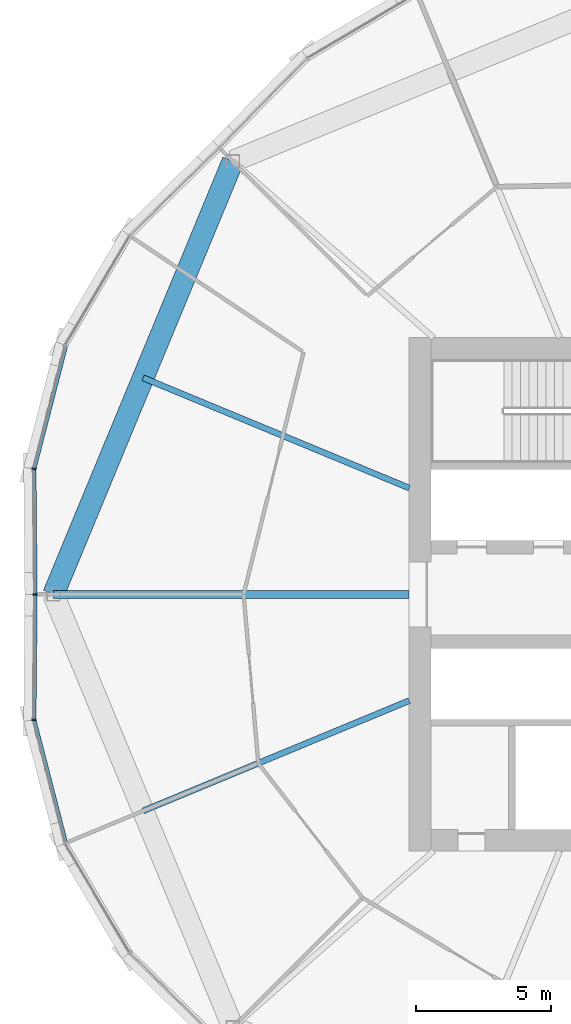
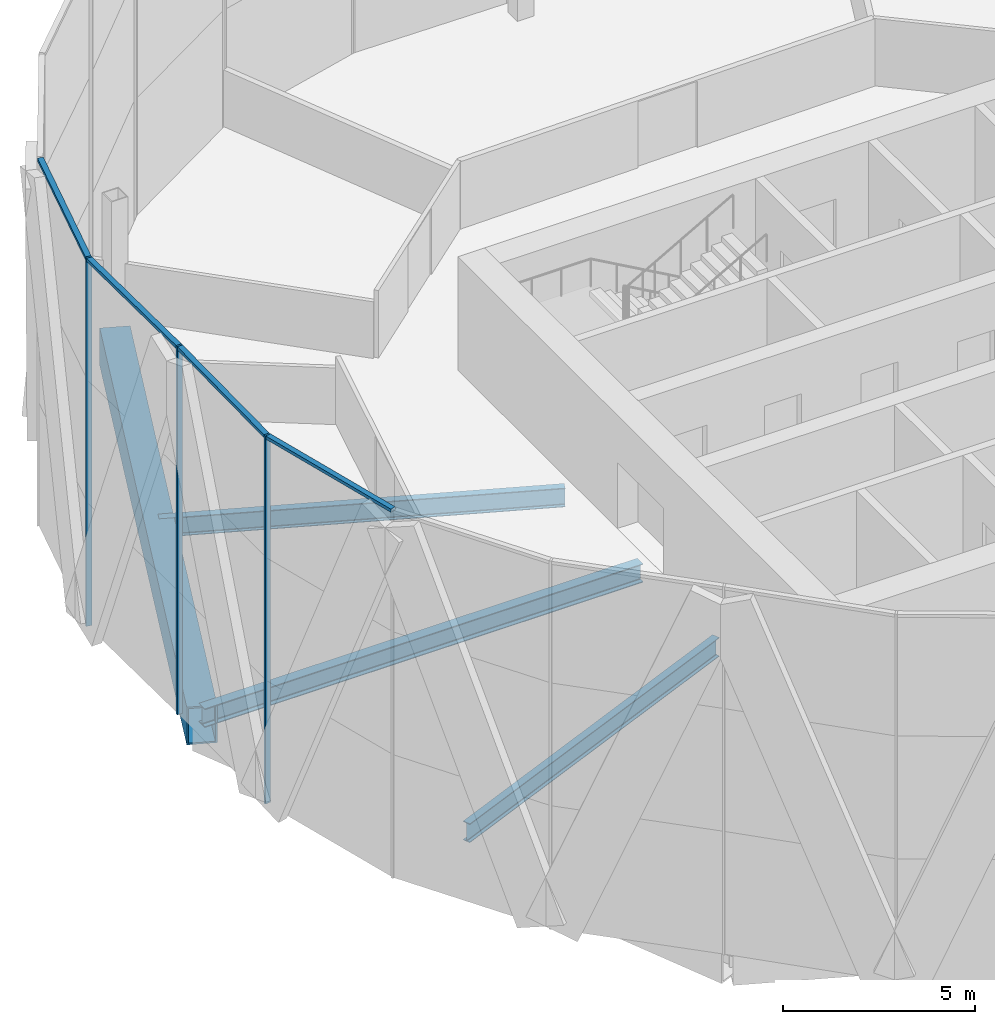
# One storey, part 5 of 26: 7 members, 4 beams, 2 elements without a shape of their own.
"""IFC4 building model written with IfcOpenShell, lengths in metres."""

from ifc_helpers import new_model, si_unit, direction, frame, origin, origin_2d, place, context, subcontext, project, spatial, rectangle, hollow_rectangle, i_section, extrude, material, material_profile, profile_set, type_object, element, aggregate, save


model = new_model("IFC4")

# Units and contexts
model_context = context("Model", 3, precision=1e-05, world=origin(), true_north=direction((0.0, 1.0)))
body_context = subcontext(model_context, "Body", "Model", "MODEL_VIEW")
ifc_project = project(units=[si_unit("LENGTHUNIT", "METRE"), si_unit("AREAUNIT", "SQUARE_METRE"), si_unit("VOLUMEUNIT", "CUBIC_METRE"), si_unit("PLANEANGLEUNIT", "RADIAN"), si_unit("MASSUNIT", "GRAM", prefix="KILO")], contexts=[model_context])

# Site, building, storey
site_placement = place(None, origin())
site = spatial("IfcSite", under=ifc_project, at=site_placement, CompositionType="ELEMENT")
building_placement = place(site_placement, origin())
building = spatial("IfcBuilding", under=site, at=building_placement, Name="Ogive Gate Towers", CompositionType="ELEMENT")
storey_placement = place(building_placement, frame((0.0, 0.0, 87.89990234375)))
storey = spatial("IfcBuildingStorey", under=building, at=storey_placement, Name="L20", CompositionType="ELEMENT", Elevation=87.89990234375)

# Beams
ifc_material_1 = material(Name="Steel SM460", Category="steel")
ifc_material_profile_1 = material_profile(ifc_material_1, hollow_rectangle(XDim=0.800048828125, YDim=1.199951171875, WallThickness=0.050048828125, at=origin_2d()), Name="BX 1200x800x50")
ifc_profile_set_1 = profile_set([ifc_material_profile_1], Name="Steel SM460")
beam_type_1 = type_object("IfcBeamType", Name="Edge girder BX 1200x800x50", PredefinedType="BEAM", material=ifc_profile_set_1)
beam_1_placement = place(storey_placement, frame((-52.030029296875, 16.030029296875, -0.89990234375), z_axis=(-0.382685254414, -0.923878777792, 0.0), x_axis=(0.923878777792, -0.382685254414, 0.0)))
element("IfcBeam", 1, at=beam_1_placement, inside=storey, type_object=beam_type_1, Name="T1/L20/SBM023", PredefinedType="BEAM", context=body_context, shape_type="SweptSolid", body=[
    extrude(hollow_rectangle(XDim=0.800048828125, YDim=1.199951171875, WallThickness=0.050048828125, at=origin_2d()), origin(), (0.0, 0.0, 1.0), 17.350830078125),
])
ifc_material_2 = material(Name="Steel SM355", Category="steel")
ifc_material_profile_2 = material_profile(ifc_material_2, i_section(OverallWidth=0.300048828125, OverallDepth=0.590087890625, WebThickness=0.012939453125, FlangeThickness=0.02490234375, FilletRadius=0.027099609375, at=origin_2d()), Name="HE 600 A")
ifc_profile_set_2 = profile_set([ifc_material_profile_2], Name="Steel SM355")
beam_type_2 = type_object("IfcBeamType", Name="Radial floor beam HE 600 A", PredefinedType="BEAM", material=ifc_profile_set_2)
beam_2_placement = place(storey_placement, frame((-45.5, 0.0, -0.594970703125), z_axis=(-1.0, 0.0, 0.0), x_axis=(0.0, -1.0, 0.0)))
element("IfcBeam", 2, at=beam_2_placement, inside=storey, type_object=beam_type_2, Name="T1/L20/SBM015", PredefinedType="BEAM", context=body_context, shape_type="SweptSolid", body=[
    extrude(i_section(OverallWidth=0.300048828125, OverallDepth=0.590087890625, WebThickness=0.012939453125, FlangeThickness=0.02490234375, FilletRadius=0.027099609375, at=origin_2d()), origin(), (0.0, 0.0, 1.0), 13.169921875),
])
ifc_material_profile_3 = material_profile(ifc_material_2, i_section(OverallWidth=0.219970703125, OverallDepth=0.60009765625, WebThickness=0.011962890625, FlangeThickness=0.01904296875, FilletRadius=0.02392578125, at=origin_2d()), Name="IPE 600")
ifc_profile_set_3 = profile_set([ifc_material_profile_3], Name="Steel SM355")
beam_type_3 = type_object("IfcBeamType", Name="Radial floor beam IPE 600", PredefinedType="BEAM", material=ifc_profile_set_3)
for number, where, z_axis, x_axis, name in (
    (3, (-45.5, 3.93505859375, -0.599853515625), (-0.923878402208, 0.382686161148, 0.0), (-0.382686161148, -0.923878402208, 0.0), "T1/L20/SBM014"),
    (4, (-45.5, -3.93505859375, -0.599853515625), (-0.923878402208, -0.382686161148, 0.0), (0.382686161148, -0.923878402208, 0.0), "T1/L20/SBM016"),
):
    element("IfcBeam", number, at=place(storey_placement, frame(where, z_axis=z_axis, x_axis=x_axis)), inside=storey, type_object=beam_type_3, Name=name, PredefinedType="BEAM", context=body_context, shape_type="SweptSolid", body=[
        extrude(i_section(OverallWidth=0.219970703125, OverallDepth=0.60009765625, WebThickness=0.011962890625, FlangeThickness=0.01904296875, FilletRadius=0.02392578125, at=origin_2d()), origin(), (0.0, 0.0, 1.0), 10.66162109375),
    ])

# Curtain wall, members
ifc_material_3 = material(Name="Pale metal aluminium", Category="aluminium")
curtain_wall_type = type_object("IfcCurtainWallType", Name="Tower unitised wall, low zone", PredefinedType="NOTDEFINED", material=ifc_material_3)
curtain_wall_1_placement = place(storey_placement, origin())
curtain_wall_1 = element("IfcCurtainWall", 5, at=curtain_wall_1_placement, inside=storey, type_object=curtain_wall_type, Name="CW1 T1 ECW04", PredefinedType="NOTDEFINED")
ifc_material_profile_4 = material_profile(ifc_material_3, rectangle(XDim=0.159912109375, YDim=0.06005859375, at=origin_2d()), Name="60 x 160 aluminium box")
ifc_profile_set_4 = profile_set([ifc_material_profile_4], Name="Pale metal aluminium")
member_type_1 = type_object("IfcMemberType", Name="Tower unitised wall, low zone mullion 60 x 160", PredefinedType="MULLION", material=ifc_profile_set_4)
member_1_placement = place(storey_placement, frame((-59.3935546875, 4.647216796875, -0.2998046875), z_axis=(0.0, 0.0, 1.0), x_axis=(-0.992647900348, 0.121037787217, 0.0)))
member_1 = element("IfcMember", 6, at=member_1_placement, type_object=member_type_1, Name="CW1 mullion", PredefinedType="MULLION", context=body_context, shape_type="SweptSolid", body=[
    extrude(rectangle(XDim=0.159912109375, YDim=0.06005859375, at=origin_2d()), origin(), (0.0, 0.0, 1.0), 11.699951171875),
])
member_2_placement = place(storey_placement, frame((-59.35009765625, 0.000244140625, -0.2998046875), z_axis=(0.0, 0.0, 1.0), x_axis=(-0.999956405756, -0.009337375811, 0.0)))
member_2 = element("IfcMember", 7, at=member_2_placement, type_object=member_type_1, Name="CW1 mullion", PredefinedType="MULLION", context=body_context, shape_type="SweptSolid", body=[
    extrude(rectangle(XDim=0.159912109375, YDim=0.06005859375, at=origin_2d()), origin(), (0.0, 0.0, 1.0), 11.699951171875),
])

# Curtain wall, member
curtain_wall_2_placement = place(storey_placement, origin())
curtain_wall_2 = element("IfcCurtainWall", 8, at=curtain_wall_2_placement, inside=storey, type_object=curtain_wall_type, Name="CW1 T1 ECW05", PredefinedType="NOTDEFINED")
member_3_placement = place(storey_placement, frame((-59.3935546875, -4.647216796875, -0.2998046875), z_axis=(0.0, 0.0, 1.0), x_axis=(-0.992647900348, -0.121037787217, 0.0)))
member_3 = element("IfcMember", 9, at=member_3_placement, type_object=member_type_1, Name="CW1 mullion", PredefinedType="MULLION", context=body_context, shape_type="SweptSolid", body=[
    extrude(rectangle(XDim=0.159912109375, YDim=0.06005859375, at=origin_2d()), origin(), (0.0, 0.0, 1.0), 11.699951171875),
])

# Member
ifc_material_profile_5 = material_profile(ifc_material_3, rectangle(XDim=0.159912109375, YDim=0.10009765625, at=origin_2d()), Name="100 x 160 aluminium box")
ifc_profile_set_5 = profile_set([ifc_material_profile_5], Name="Pale metal aluminium")
member_type_2 = type_object("IfcMemberType", Name="Tower unitised wall, low zone transom 100 x 160", PredefinedType="USERDEFINED", material=ifc_profile_set_5)
member_4_placement = place(storey_placement, frame((-58.226806640625, 9.177490234375, 11.35009765625), z_axis=(-0.249396942248, -0.968401345103, 0.0), x_axis=(0.968401345103, -0.249396942248, 0.0)))
member_4 = element("IfcMember", 10, at=member_4_placement, type_object=member_type_2, Name="CW1 transom", ObjectType="TRANSOM", PredefinedType="USERDEFINED", context=body_context, shape_type="SweptSolid", body=[
    extrude(rectangle(XDim=0.159912109375, YDim=0.10009765625, at=origin_2d()), origin(), (0.0, 0.0, 1.0), 4.65087890625),
])

member_5_placement = place(storey_placement, frame((-59.39306640625, 4.61962890625, 11.35009765625), z_axis=(0.009309097625, -0.999956669412, 0.0), x_axis=(0.999956669412, 0.009309097625, 0.0)))
member_5 = element("IfcMember", 11, at=member_5_placement, type_object=member_type_2, Name="CW1 transom", ObjectType="TRANSOM", PredefinedType="USERDEFINED", context=body_context, shape_type="SweptSolid", body=[
    extrude(rectangle(XDim=0.159912109375, YDim=0.10009765625, at=origin_2d()), origin(), (0.0, 0.0, 1.0), 4.589599609375),
])

aggregate(curtain_wall_1, [member_1, member_4, member_2, member_5])

member_6_placement = place(storey_placement, frame((-59.350341796875, -0.0302734375, 11.35009765625), z_axis=(-0.009309097625, -0.999956669412, 0.0), x_axis=(0.999956669412, -0.009309097625, 0.0)))
member_6 = element("IfcMember", 12, at=member_6_placement, type_object=member_type_2, Name="CW1 transom", ObjectType="TRANSOM", PredefinedType="USERDEFINED", context=body_context, shape_type="SweptSolid", body=[
    extrude(rectangle(XDim=0.159912109375, YDim=0.10009765625, at=origin_2d()), origin(), (0.0, 0.0, 1.0), 4.589599609375),
])

member_7_placement = place(storey_placement, frame((-59.38671875, -4.673583984375, 11.35009765625), z_axis=(0.249396942248, -0.968401345103, 0.0), x_axis=(0.968401345103, 0.249396942248, 0.0)))
member_7 = element("IfcMember", 13, at=member_7_placement, type_object=member_type_2, Name="CW1 transom", ObjectType="TRANSOM", PredefinedType="USERDEFINED", context=body_context, shape_type="SweptSolid", body=[
    extrude(rectangle(XDim=0.159912109375, YDim=0.10009765625, at=origin_2d()), origin(), (0.0, 0.0, 1.0), 4.65087890625),
])

aggregate(curtain_wall_2, [member_3, member_6, member_7])

save(model, "model.ifc")
